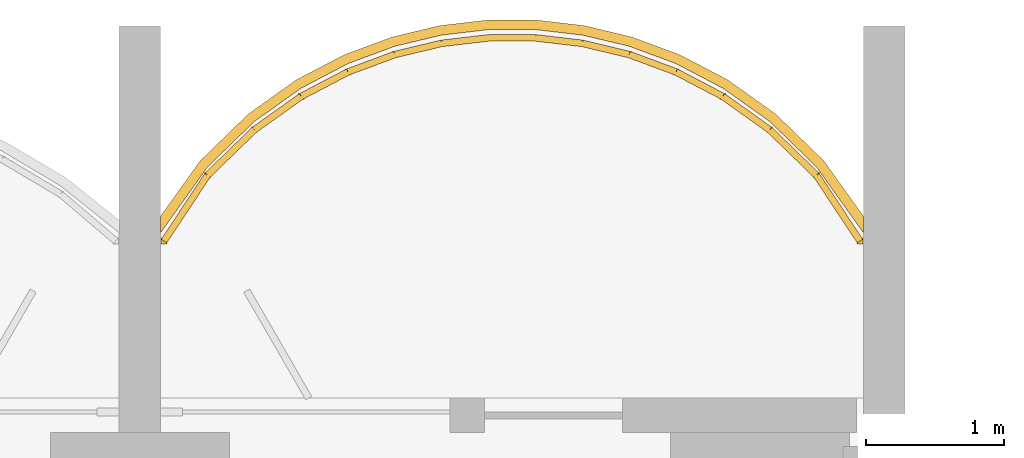
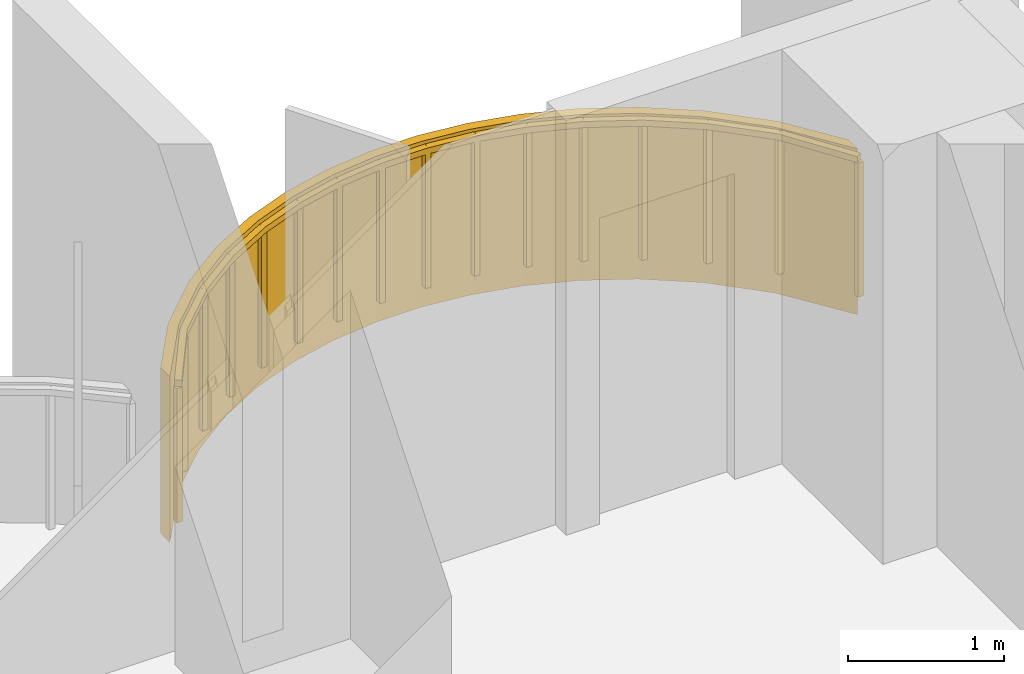
# One storey, part 21 of 21: 1 covering, 1 railing.
"""IFC4 building model written with IfcOpenShell, lengths in metres."""

from ifc_helpers import new_model, si_unit, direction, frame, origin, origin_2d, place, context, subcontext, project, spatial, polyline, rectangle, outline, extrude, material, layer, layer_set, type_object, element, save


model = new_model("IFC4")

# Units and contexts
model_context = context("Model", 3, precision=1e-05, world=origin(), true_north=direction((0.0, 1.0)))
body_context = subcontext(model_context, "Body", "Model", "MODEL_VIEW")
ifc_project = project(units=[si_unit("LENGTHUNIT", "METRE"), si_unit("AREAUNIT", "SQUARE_METRE"), si_unit("VOLUMEUNIT", "CUBIC_METRE"), si_unit("PLANEANGLEUNIT", "RADIAN"), si_unit("MASSUNIT", "GRAM", prefix="KILO")], contexts=[model_context])

# Site, building, storey
site_placement = place(None, origin())
site = spatial("IfcSite", under=ifc_project, at=site_placement, CompositionType="ELEMENT")
building_placement = place(site_placement, origin())
building = spatial("IfcBuilding", under=site, at=building_placement, Name="Perihelion Cross Residences", CompositionType="ELEMENT")
storey_placement = place(building_placement, frame((0.0, 0.0, 47.0)))
storey = spatial("IfcBuildingStorey", under=building, at=storey_placement, Name="L08", CompositionType="ELEMENT", Elevation=47.0)

# Covering
ifc_material_1 = material(Name="Bronze anodised aluminium", Category="aluminium")
ifc_layer = layer(ifc_material_1, 0.070068359375)
ifc_layer_set = layer_set([ifc_layer], Name="Balcony fascia 1300")
covering_type = type_object("IfcCoveringType", Name="Balcony fascia 1300", PredefinedType="CLADDING", material=ifc_layer_set)
covering_placement = place(storey_placement, frame((0.0, 0.0, -0.199951171875)))
element("IfcCovering", 1, at=covering_placement, inside=storey, type_object=covering_type, Name="Fascia BF1 L08 north tip north bay 1", PredefinedType="CLADDING", context=body_context, shape_type="SweptSolid", body=[
    extrude(outline(polyline([(4.963134765625, 28.722412109375), (4.61474609375, 29.060791015625), (4.2666015625, 29.308837890625), (3.91845703125, 29.4912109375), (3.5703125, 29.620361328125), (3.22216796875, 29.703369140625), (2.8740234375, 29.743896484375), (2.52587890625, 29.743896484375), (2.177734375, 29.703369140625), (1.82958984375, 29.620361328125), (1.4814453125, 29.4912109375), (1.13330078125, 29.308837890625), (0.78515625, 29.060791015625), (0.43701171875, 28.722412109375), (0.14990234375, 28.320556640625), (0.14990234375, 28.199951171875), (0.489990234375, 28.6767578125), (0.830078125, 29.007080078125), (1.169921875, 29.2490234375), (1.510009765625, 29.42724609375), (1.85009765625, 29.553466796875), (2.18994140625, 29.63427734375), (2.530029296875, 29.674072265625), (2.8701171875, 29.674072265625), (3.2099609375, 29.63427734375), (3.550048828125, 29.553466796875), (3.889892578125, 29.42724609375), (4.22998046875, 29.2490234375), (4.570068359375, 29.007080078125), (4.909912109375, 28.6767578125), (5.25, 28.199951171875), (5.25, 28.320556640625), (4.963134765625, 28.722412109375)])), origin(), (0.0, 0.0, 1.0), 1.300048828125),
])

# Railing
ifc_material_2 = material(Name="Bronze anodised aluminium", Category="aluminium")
railing_type = type_object("IfcRailingType", Name="Balcony guard 1100", PredefinedType="GUARDRAIL", material=ifc_material_2)
railing_placement = place(storey_placement, frame((5.22509765625, 28.139892578125, 0.0)))
element("IfcRailing", 2, at=railing_placement, inside=storey, type_object=railing_type, Name="Guard GU1 L08 north tip north bay 1 balcony", PredefinedType="GUARDRAIL", context=body_context, shape_type="SweptSolid", body=[
    extrude(rectangle(XDim=0.048095703125, YDim=0.048095703125, at=origin_2d()), frame((0.0, 0.0, 1.076171875), z_axis=(-0.55144309028, 0.834212513801, 0.0), x_axis=(-0.834212513801, -0.55144309028, 0.0)), (0.0, 0.0, 1.0), 0.571533203125),
    extrude(rectangle(XDim=0.048095703125, YDim=0.048095703125, at=origin_2d()), frame((-0.315185546875, 0.476806640625, 1.076171875), z_axis=(-0.717080736691, 0.696990112603, 0.0), x_axis=(-0.696990112603, -0.717080736691, 0.0)), (0.0, 0.0, 1.0), 0.473876953125),
    extrude(rectangle(XDim=0.048095703125, YDim=0.048095703125, at=origin_2d()), frame((-0.655029296875, 0.80712890625, 1.076171875), z_axis=(-0.814562360662, 0.580075995532, 0.0), x_axis=(-0.580075995532, -0.814562360662, 0.0)), (0.0, 0.0, 1.0), 0.41748046875),
    extrude(rectangle(XDim=0.048095703125, YDim=0.048095703125, at=origin_2d()), frame((-0.9951171875, 1.04931640625, 1.076171875), z_axis=(-0.886005761733, 0.463674228502, 0.0), x_axis=(-0.463674228502, -0.886005761733, 0.0)), (0.0, 0.0, 1.0), 0.3837890625),
    extrude(rectangle(XDim=0.048095703125, YDim=0.048095703125, at=origin_2d()), frame((-1.335205078125, 1.227294921875, 1.076171875), z_axis=(-0.937431552165, 0.348169621027, 0.0), x_axis=(-0.348169621027, -0.937431552165, 0.0)), (0.0, 0.0, 1.0), 0.362548828125),
    extrude(rectangle(XDim=0.048095703125, YDim=0.048095703125, at=origin_2d()), frame((-1.675048828125, 1.353515625, 1.076171875), z_axis=(-0.972753741142, 0.231840805498, 0.0), x_axis=(-0.231840805498, -0.972753741142, 0.0)), (0.0, 0.0, 1.0), 0.349609375),
    extrude(rectangle(XDim=0.048095703125, YDim=0.048095703125, at=origin_2d()), frame((-2.01513671875, 1.4345703125, 1.076171875), z_axis=(-0.993295952156, 0.11559909788, 0.0), x_axis=(-0.11559909788, -0.993295952156, 0.0)), (0.0, 0.0, 1.0), 0.342041015625),
    extrude(rectangle(XDim=0.048095703125, YDim=0.048095703125, at=origin_2d()), frame((-2.35498046875, 1.47412109375, 1.076171875), z_axis=(-1.0, 0.0, 0.0), x_axis=(0.0, -1.0, 0.0)), (0.0, 0.0, 1.0), 0.340087890625),
    extrude(rectangle(XDim=0.048095703125, YDim=0.048095703125, at=origin_2d()), frame((-2.695068359375, 1.47412109375, 1.076171875), z_axis=(-0.993305477634, -0.11551721994, 0.0), x_axis=(0.11551721994, -0.993305477634, 0.0)), (0.0, 0.0, 1.0), 0.34228515625),
    extrude(rectangle(XDim=0.048095703125, YDim=0.048095703125, at=origin_2d()), frame((-3.03515625, 1.4345703125, 1.076171875), z_axis=(-0.972716168284, -0.231998396458, 0.0), x_axis=(0.231998396458, -0.972716168284, 0.0)), (0.0, 0.0, 1.0), 0.349365234375),
    extrude(rectangle(XDim=0.048095703125, YDim=0.048095703125, at=origin_2d()), frame((-3.375, 1.353515625, 1.076171875), z_axis=(-0.93751311099, -0.347949948587, 0.0), x_axis=(0.347949948587, -0.93751311099, 0.0)), (0.0, 0.0, 1.0), 0.36279296875),
    extrude(rectangle(XDim=0.048095703125, YDim=0.048095703125, at=origin_2d()), frame((-3.715087890625, 1.227294921875, 1.076171875), z_axis=(-0.886005761733, -0.463674228502, 0.0), x_axis=(0.463674228502, -0.886005761733, 0.0)), (0.0, 0.0, 1.0), 0.3837890625),
    extrude(rectangle(XDim=0.048095703125, YDim=0.048095703125, at=origin_2d()), frame((-4.05517578125, 1.04931640625, 1.076171875), z_axis=(-0.814365457194, -0.580352394782, 0.0), x_axis=(0.580352394782, -0.814365457194, 0.0)), (0.0, 0.0, 1.0), 0.417236328125),
    extrude(rectangle(XDim=0.048095703125, YDim=0.048095703125, at=origin_2d()), frame((-4.39501953125, 0.80712890625, 1.076171875), z_axis=(-0.717330852669, -0.69673269466, 0.0), x_axis=(0.69673269466, -0.717330852669, 0.0)), (0.0, 0.0, 1.0), 0.47412109375),
    extrude(rectangle(XDim=0.048095703125, YDim=0.048095703125, at=origin_2d()), frame((-4.735107421875, 0.476806640625, 1.076171875), z_axis=(-0.551145731138, -0.834409002258, 0.0), x_axis=(0.834409002258, -0.551145731138, 0.0)), (0.0, 0.0, 1.0), 0.571533203125),
    extrude(rectangle(XDim=0.0419921875, YDim=0.0419921875, at=origin_2d()), origin(), (0.0, 0.0, 1.0), 1.052001953125),
    extrude(rectangle(XDim=0.0419921875, YDim=0.0419921875, at=origin_2d()), frame((-0.315185546875, 0.476806640625, 0.0)), (0.0, 0.0, 1.0), 1.052001953125),
    extrude(rectangle(XDim=0.0419921875, YDim=0.0419921875, at=origin_2d()), frame((-0.655029296875, 0.80712890625, 0.0)), (0.0, 0.0, 1.0), 1.052001953125),
    extrude(rectangle(XDim=0.0419921875, YDim=0.0419921875, at=origin_2d()), frame((-0.9951171875, 1.04931640625, 0.0)), (0.0, 0.0, 1.0), 1.052001953125),
    extrude(rectangle(XDim=0.0419921875, YDim=0.0419921875, at=origin_2d()), frame((-1.335205078125, 1.227294921875, 0.0)), (0.0, 0.0, 1.0), 1.052001953125),
    extrude(rectangle(XDim=0.0419921875, YDim=0.0419921875, at=origin_2d()), frame((-1.675048828125, 1.353515625, 0.0)), (0.0, 0.0, 1.0), 1.052001953125),
    extrude(rectangle(XDim=0.0419921875, YDim=0.0419921875, at=origin_2d()), frame((-2.01513671875, 1.4345703125, 0.0)), (0.0, 0.0, 1.0), 1.052001953125),
    extrude(rectangle(XDim=0.0419921875, YDim=0.0419921875, at=origin_2d()), frame((-2.35498046875, 1.47412109375, 0.0)), (0.0, 0.0, 1.0), 1.052001953125),
    extrude(rectangle(XDim=0.0419921875, YDim=0.0419921875, at=origin_2d()), frame((-2.695068359375, 1.47412109375, 0.0)), (0.0, 0.0, 1.0), 1.052001953125),
    extrude(rectangle(XDim=0.0419921875, YDim=0.0419921875, at=origin_2d()), frame((-3.03515625, 1.4345703125, 0.0)), (0.0, 0.0, 1.0), 1.052001953125),
    extrude(rectangle(XDim=0.0419921875, YDim=0.0419921875, at=origin_2d()), frame((-3.375, 1.353515625, 0.0)), (0.0, 0.0, 1.0), 1.052001953125),
    extrude(rectangle(XDim=0.0419921875, YDim=0.0419921875, at=origin_2d()), frame((-3.715087890625, 1.227294921875, 0.0)), (0.0, 0.0, 1.0), 1.052001953125),
    extrude(rectangle(XDim=0.0419921875, YDim=0.0419921875, at=origin_2d()), frame((-4.05517578125, 1.04931640625, 0.0)), (0.0, 0.0, 1.0), 1.052001953125),
    extrude(rectangle(XDim=0.0419921875, YDim=0.0419921875, at=origin_2d()), frame((-4.39501953125, 0.80712890625, 0.0)), (0.0, 0.0, 1.0), 1.052001953125),
    extrude(rectangle(XDim=0.0419921875, YDim=0.0419921875, at=origin_2d()), frame((-4.735107421875, 0.476806640625, 0.0)), (0.0, 0.0, 1.0), 1.052001953125),
    extrude(rectangle(XDim=0.0419921875, YDim=0.0419921875, at=origin_2d()), frame((-5.050048828125, 0.0, 0.0)), (0.0, 0.0, 1.0), 1.052001953125),
])

save(model, "model.ifc")
